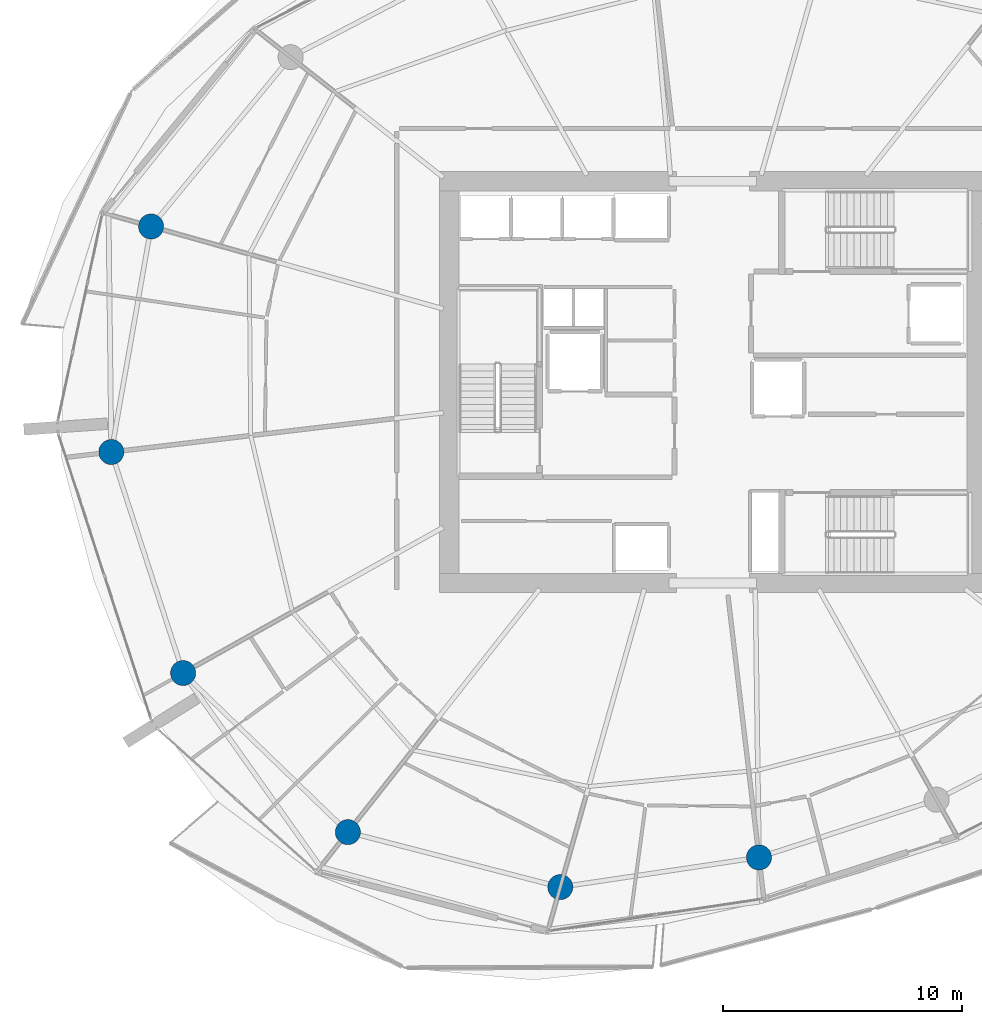
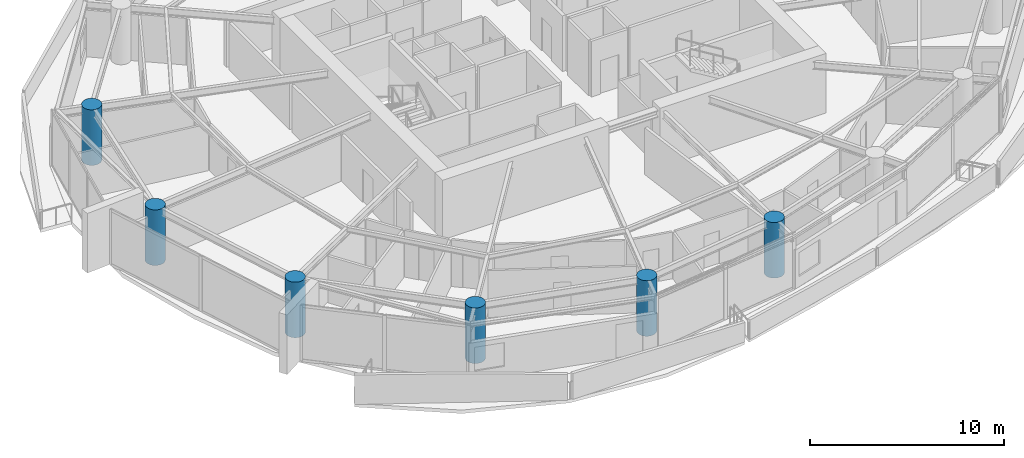
# One storey, part 1 of 20: 6 columns.
"""IFC4 building model written with IfcOpenShell, lengths in metres."""

from ifc_helpers import new_model, si_unit, direction, frame, origin, origin_2d, place, context, subcontext, project, spatial, circle, extrude, material, material_profile, profile_set, type_object, element, save


model = new_model("IFC4")

# Units and contexts
model_context = context("Model", 3, precision=1e-05, world=origin(), true_north=direction((0.0, 1.0)))
body_context = subcontext(model_context, "Body", "Model", "MODEL_VIEW")
ifc_project = project(units=[si_unit("LENGTHUNIT", "METRE"), si_unit("AREAUNIT", "SQUARE_METRE"), si_unit("VOLUMEUNIT", "CUBIC_METRE"), si_unit("PLANEANGLEUNIT", "RADIAN"), si_unit("MASSUNIT", "GRAM", prefix="KILO")], contexts=[model_context])

# Site, building, storey
site_placement = place(None, origin())
site = spatial("IfcSite", under=ifc_project, at=site_placement, CompositionType="ELEMENT")
building_placement = place(site_placement, origin())
building = spatial("IfcBuilding", under=site, at=building_placement, Name="Kazma Halo Residences", CompositionType="ELEMENT")
storey_placement = place(building_placement, frame((0.0, 0.0, 154.050048828125)))
storey = spatial("IfcBuildingStorey", under=building, at=storey_placement, Name="L38", CompositionType="ELEMENT", Elevation=154.050048828125)

# Columns
ifc_material = material(Name="Concrete C80/95", Category="concrete")
ifc_material_profile = material_profile(ifc_material, circle(Radius=0.52490234375, at=origin_2d()), Name="CIRC1050")
ifc_profile_set = profile_set([ifc_material_profile], Name="Concrete C80/95")
column_type = type_object("IfcColumnType", Name="COL-PERIM-1050", PredefinedType="COLUMN", material=ifc_profile_set)
for number, where, z_axis, x_axis, name in (
    (1, (24.93017578125, 48.50634765625, 0.0), (0.0, 0.0, 1.0), (1.0, 0.0, 0.0), "L38 perimeter ring column P07"),
    (2, (23.266845703125, 39.072509765625, 0.0), (0.0, 0.0, 1.0), (1.0, 0.0, 0.0), "L38 perimeter ring column P08"),
    (3, (26.269775390625, 29.83056640625, 0.0), (0.0, 0.0, 1.0), (1.0, 0.0, 0.0), "L38 perimeter ring column P09"),
    (4, (33.160400390625, 23.17626953125, 0.0), (0.0, 0.0, 1.0), (1.0, 0.0, 0.0), "L38 perimeter ring column P10"),
    (5, (42.04296875, 20.878173828125, 0.0), (0.0, 0.0, 1.0), (1.0, 0.0, 0.0), "L38 perimeter ring column P11"),
    (6, (50.35302734375, 22.118896484375, 0.0), (0.0, 0.0, 1.0), (1.0, 0.0, 0.0), "L38 perimeter ring column P12"),
):
    element("IfcColumn", number, at=place(storey_placement, frame(where, z_axis=z_axis, x_axis=x_axis)), inside=storey, type_object=column_type, Name=name, PredefinedType="COLUMN", context=body_context, shape_type="SweptSolid", body=[
        extrude(circle(Radius=0.52490234375, at=origin_2d()), origin(), (0.0, 0.0, 1.0), 3.5),
    ])

save(model, "model.ifc")
